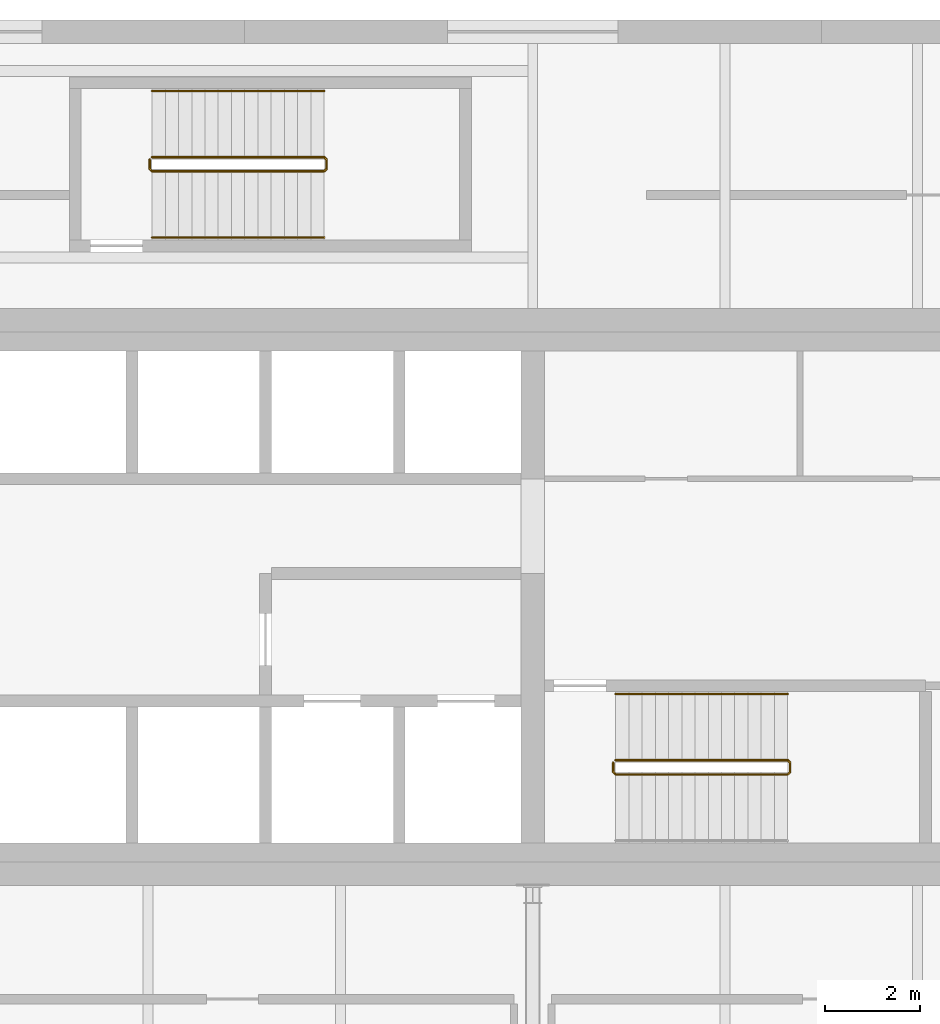
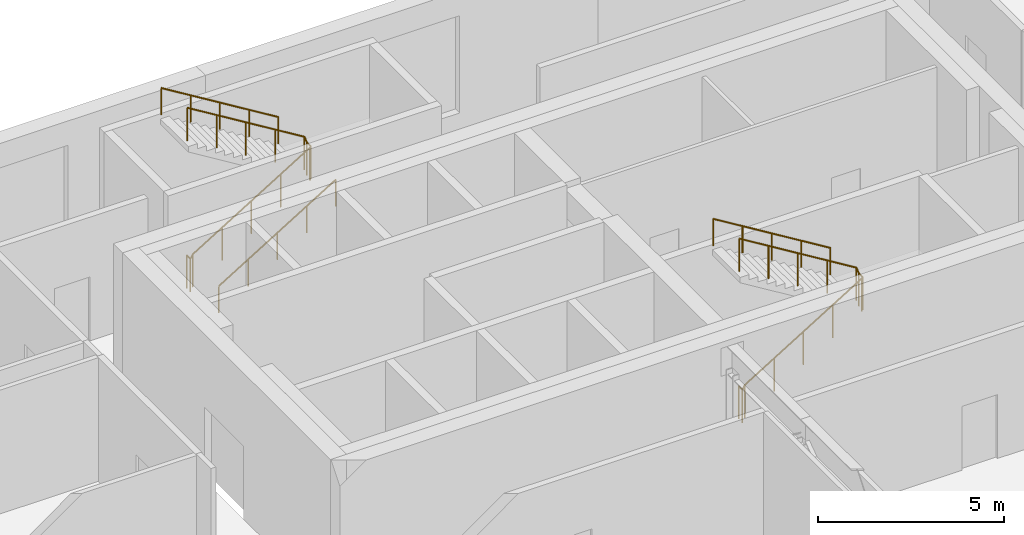
# One storey, part 21 of 21: 5 railings.
"""IFC4 building model written with IfcOpenShell, lengths in metres."""

import ifcopenshell
import ifcopenshell.guid

model = None  # the IFC model being written
_history = None  # IfcOwnerHistory: only IFC2X3 demands one
_inside = {}  # id of a spatial element -> (the spatial element, [elements in it])
_under = {}  # id of a project, library or spatial element -> (it, [spatial elements below it])
_declared = {}  # id of a project -> (the project, [libraries it declares])
_typed = {}  # id of a type object -> (the type object, [elements of that type])
_made_of = {}  # id of a material, layer set ... -> (it, [elements and type objects made of it])


def new_model(schema):
    """Start an empty IFC model of exactly this schema.

    Asked for "IFC4X3", IfcOpenShell would pick the latest addendum, in which some entities
    have other attributes; the version numbers below select the first issue.
    IFC2X3 requires an IfcOwnerHistory on every rooted entity: one is made here for all.
    """
    global model, _history
    if schema == "IFC4X3":
        model = ifcopenshell.file(schema_version=(4, 3, 0, 0))
    else:
        model = ifcopenshell.file(schema=schema)
    _inside.clear()
    _under.clear()
    _declared.clear()
    _typed.clear()
    _made_of.clear()
    _history = None
    if model.schema == "IFC2X3":
        org = make("IfcOrganization", Name="unknown")
        user = make(
            "IfcPersonAndOrganization",
            ThePerson=make("IfcPerson", FamilyName="unknown"),
            TheOrganization=org,
        )
        app = make(
            "IfcApplication",
            ApplicationDeveloper=org,
            Version="unknown",
            ApplicationFullName="unknown",
            ApplicationIdentifier="unknown",
        )
        _history = make(
            "IfcOwnerHistory",
            OwningUser=user,
            OwningApplication=app,
            ChangeAction="ADDED",
            CreationDate=0,
        )
    return model


def make(cls, **values):
    """One entity of the class cls with the attributes given. An attribute that is None is left unset."""
    return model.create_entity(
        cls, **{name: value for name, value in values.items() if value is not None}
    )


def rooted(cls, **values):
    """An entity with a GlobalId (a new one), such as an element, a storey or a relation."""
    return make(cls, GlobalId=ifcopenshell.guid.new(), OwnerHistory=_history, **values)


def si_unit(unit_type, name, prefix=None):
    """IfcSIUnit, for example si_unit("LENGTHUNIT", "METRE", prefix="MILLI")."""
    return make("IfcSIUnit", UnitType=unit_type, Prefix=prefix, Name=name)


def assignment(units):
    """IfcUnitAssignment: the units of a project."""
    return None if units is None else make("IfcUnitAssignment", Units=units)


def point(xyz):
    """IfcCartesianPoint."""
    return None if xyz is None else make("IfcCartesianPoint", Coordinates=xyz)


def direction(xyz):
    """IfcDirection."""
    return None if xyz is None else make("IfcDirection", DirectionRatios=xyz)


def frame(location, z_axis=None, x_axis=None):
    """IfcAxis2Placement3D, a coordinate frame: its origin and axes. An axis left out is left unset."""
    return make(
        "IfcAxis2Placement3D",
        Location=point(location),
        Axis=direction(z_axis),
        RefDirection=direction(x_axis),
    )


def frame_2d(location, x_axis=None):
    """IfcAxis2Placement2D, a coordinate frame in the plane: its origin and x axis."""
    return make(
        "IfcAxis2Placement2D", Location=point(location), RefDirection=direction(x_axis)
    )


def origin():
    """The frame at (0, 0, 0) with its axes left unset."""
    return frame((0.0, 0.0, 0.0))


def origin_2d():
    """The frame at (0, 0) in the plane with its x axis left unset."""
    return frame_2d((0.0, 0.0))


def place(relative_to, where):
    """IfcLocalPlacement: puts the frame where relative to a parent placement (None: the world)."""
    return make(
        "IfcLocalPlacement", PlacementRelTo=relative_to, RelativePlacement=where
    )


def context(
    kind, dimensions, precision=None, world=None, true_north=None, identifier=None
):
    """IfcGeometricRepresentationContext, for example the 3D "Model" context."""
    return make(
        "IfcGeometricRepresentationContext",
        ContextIdentifier=identifier,
        ContextType=kind,
        CoordinateSpaceDimension=dimensions,
        Precision=precision,
        WorldCoordinateSystem=world,
        TrueNorth=true_north,
    )


def subcontext(parent, identifier, kind, view, scale=None):
    """IfcGeometricRepresentationSubContext, for example "Body" below "Model"."""
    return make(
        "IfcGeometricRepresentationSubContext",
        ContextIdentifier=identifier,
        ContextType=kind,
        ParentContext=parent,
        TargetScale=scale,
        TargetView=view,
    )


def project(units=None, contexts=None):
    """IfcProject with its units and contexts."""
    return rooted(
        "IfcProject",
        Name="project",
        RepresentationContexts=contexts,
        UnitsInContext=assignment(units),
    )


def spatial(cls, under=None, at=None, **own):
    """A site, building, storey or space (cls), placed at a placement, below another one or the project."""
    s = rooted(cls, ObjectPlacement=at, **own)
    if under is not None:
        _under.setdefault(under.id(), (under, []))[1].append(s)
    return s


def profile(cls, at=None, kind="AREA", **sizes):
    """A parametric profile (cls). Its sizes go by their IFC names, for example OverallWidth=200.0."""
    return make(cls, ProfileType=kind, Position=at, **sizes)


def circle(**sizes):
    """IfcCircleProfileDef."""
    return profile("IfcCircleProfileDef", **sizes)


def extrude(swept, where, along, depth):
    """IfcExtrudedAreaSolid: the profile swept, set in the frame where, extruded along a direction by depth."""
    return make(
        "IfcExtrudedAreaSolid",
        SweptArea=swept,
        Position=where,
        ExtrudedDirection=direction(along),
        Depth=depth,
    )


def shape(context_of_items, identifier, shape_type, items):
    """IfcShapeRepresentation: the items that make up one representation, for example the "Body"."""
    return make(
        "IfcShapeRepresentation",
        ContextOfItems=context_of_items,
        RepresentationIdentifier=identifier,
        RepresentationType=shape_type,
        Items=items,
    )


def material(Name=None, Category=None):
    """IfcMaterial."""
    return make("IfcMaterial", Name=Name, Category=Category)


def made_of(thing, what):
    """Note that an element or type object is made of a material, layer set ...; save() writes the relation."""
    if what is not None:
        _made_of.setdefault(what.id(), (what, []))[1].append(thing)
    return thing


def type_object(cls, material=None, **own):
    """A type object (cls), such as IfcWallType, which elements share."""
    return made_of(rooted(cls, **own), material)


def element(
    cls,
    number,
    at=None,
    inside=None,
    cuts=None,
    type_object=None,
    material=None,
    context=None,
    identifier="Body",
    shape_type=None,
    held_by="IfcProductDefinitionShape",
    body=None,
    shapes=None,
    **own,
):
    """One element of the class cls, such as IfcWall. Its Tag is "e" and its number.

    at: its placement. inside: the storey or other place that contains it. cuts: it is an
    opening in that element (IfcRelVoidsElement). A single representation is given by context,
    identifier, shape_type and body (its items); several are given by shapes. held_by: the class
    of the entity that holds the representations. save() writes the other relations.
    """
    e = rooted(cls, Tag="e%d" % number, ObjectPlacement=at, **own)
    if body is not None:
        shapes = [shape(context, identifier, shape_type, body)]
    if shapes is not None:
        e.Representation = make(held_by, Representations=shapes)
    if inside is not None:
        _inside.setdefault(inside.id(), (inside, []))[1].append(e)
    if cuts is not None:
        rooted(
            "IfcRelVoidsElement", RelatingBuildingElement=cuts, RelatedOpeningElement=e
        )
    if type_object is not None:
        _typed.setdefault(type_object.id(), (type_object, []))[1].append(e)
    return made_of(e, material)


def aggregate(whole, parts):
    """IfcRelAggregates: a whole, such as a stair, and the parts it consists of."""
    return rooted("IfcRelAggregates", RelatingObject=whole, RelatedObjects=parts)


def save(model, path):
    """Write the relations noted so far, then the file.

    IfcRelAggregates (storeys below a building ...), IfcRelContainedInSpatialStructure (elements
    in a storey), IfcRelDefinesByType, IfcRelAssociatesMaterial and IfcRelDeclares: one each for
    every whole, place, type object, material and project.
    """
    for whole, parts in _under.values():
        aggregate(whole, parts)
    for where, things in _inside.values():
        rooted(
            "IfcRelContainedInSpatialStructure",
            RelatedElements=things,
            RelatingStructure=where,
        )
    for kind, things in _typed.values():
        rooted("IfcRelDefinesByType", RelatedObjects=things, RelatingType=kind)
    for what, things in _made_of.values():
        rooted("IfcRelAssociatesMaterial", RelatedObjects=things, RelatingMaterial=what)
    for by, libraries in _declared.values():
        rooted("IfcRelDeclares", RelatingContext=by, RelatedDefinitions=libraries)
    model.write(path)


model = new_model("IFC4")

# Units and contexts
model_context = context("Model", 3, precision=1e-05, world=origin(), true_north=direction((0.0, 1.0)))
body_context = subcontext(model_context, "Body", "Model", "MODEL_VIEW")
ifc_project = project(units=[si_unit("LENGTHUNIT", "METRE"), si_unit("AREAUNIT", "SQUARE_METRE"), si_unit("VOLUMEUNIT", "CUBIC_METRE"), si_unit("PLANEANGLEUNIT", "RADIAN"), si_unit("MASSUNIT", "GRAM", prefix="KILO")], contexts=[model_context])

# Site, building, storey
site_placement = place(None, origin())
site = spatial("IfcSite", under=ifc_project, at=site_placement, CompositionType="ELEMENT")
building_placement = place(site_placement, origin())
building = spatial("IfcBuilding", under=site, at=building_placement, Name="Tessera Gate Towers", CompositionType="ELEMENT")
storey_placement = place(building_placement, frame((0.0, 0.0, 63.800048828125)))
storey = spatial("IfcBuildingStorey", under=building, at=storey_placement, Name="L15", CompositionType="ELEMENT", Elevation=63.800048828125)

# Railings
ifc_material_1 = material(Name="Steel 350W", Category="steel")
railing_type_1 = type_object("IfcRailingType", Name="STAIR GUARD 1100", PredefinedType="GUARDRAIL", material=ifc_material_1)
railing_1_placement = place(storey_placement, frame((111.5, 39.199951171875, 0.0)))
element("IfcRailing", 1, at=railing_1_placement, inside=storey, type_object=railing_type_1, Name="L15 ST6 stair guard 1", PredefinedType="GUARDRAIL", context=body_context, shape_type="SweptSolid", body=[
    extrude(circle(Radius=0.02392578125, at=origin_2d()), frame((0.0, 0.0, 1.076171875), z_axis=(0.0, -1.0, 0.0), x_axis=(1.0, 0.0, 0.0)), (0.0, 0.0, 1.0), 0.199951171875),
    extrude(circle(Radius=0.02392578125, at=origin_2d()), frame((0.0, -0.199951171875, 1.076171875), z_axis=(0.269911200495, -0.269911200495, 0.924281281696), x_axis=(0.707106781187, 0.707106781187, 0.0)), (0.0, 0.0, 1.0), 0.185546875),
    extrude(circle(Radius=0.02392578125, at=origin_2d()), frame((0.050048828125, -0.25, 1.24755859375), z_axis=(0.852850264322, 0.0, 0.5221555579), x_axis=(0.0, 1.0, 0.0)), (0.0, 0.0, 1.0), 4.267822265625),
    extrude(circle(Radius=0.02392578125, at=origin_2d()), frame((3.68994140625, -0.25, 3.47607421875), z_axis=(0.707106781187, 0.707106781187, 0.0), x_axis=(-0.707106781187, 0.707106781187, 0.0)), (0.0, 0.0, 1.0), 0.07080078125),
    extrude(circle(Radius=0.02392578125, at=origin_2d()), frame((3.739990234375, -0.199951171875, 3.47607421875), z_axis=(0.0, 1.0, 0.0), x_axis=(-1.0, 0.0, 0.0)), (0.0, 0.0, 1.0), 0.199951171875),
    extrude(circle(Radius=0.02392578125, at=origin_2d()), frame((3.739990234375, 0.0, 3.47607421875), z_axis=(-0.269911200495, 0.269911200495, 0.924281281696), x_axis=(-0.707106781187, -0.707106781187, 0.0)), (0.0, 0.0, 1.0), 0.185546875),
    extrude(circle(Radius=0.02392578125, at=origin_2d()), frame((3.68994140625, 0.050048828125, 3.6474609375), z_axis=(-0.852824790078, 0.0, 0.522197163366), x_axis=(0.0, -1.0, 0.0)), (0.0, 0.0, 1.0), 4.26806640625),
    extrude(circle(Radius=0.02099609375, at=origin_2d()), origin(), (0.0, 0.0, 1.0), 1.052001953125),
    extrude(circle(Radius=0.02099609375, at=origin_2d()), frame((0.0, -0.199951171875, 0.0)), (0.0, 0.0, 1.0), 1.052001953125),
    extrude(circle(Radius=0.02099609375, at=origin_2d()), frame((0.050048828125, -0.25, 0.17138671875)), (0.0, 0.0, 1.0), 1.052001953125),
    extrude(circle(Radius=0.02099609375, at=origin_2d()), frame((0.9599609375, -0.25, 0.728515625)), (0.0, 0.0, 1.0), 1.052001953125),
    extrude(circle(Radius=0.02099609375, at=origin_2d()), frame((1.8701171875, -0.25, 1.28564453125)), (0.0, 0.0, 1.0), 1.052001953125),
    extrude(circle(Radius=0.02099609375, at=origin_2d()), frame((2.780029296875, -0.25, 1.8427734375)), (0.0, 0.0, 1.0), 1.052001953125),
    extrude(circle(Radius=0.02099609375, at=origin_2d()), frame((3.68994140625, -0.25, 2.39990234375)), (0.0, 0.0, 1.0), 1.052001953125),
    extrude(circle(Radius=0.02099609375, at=origin_2d()), frame((3.739990234375, -0.199951171875, 2.39990234375)), (0.0, 0.0, 1.0), 1.052001953125),
    extrude(circle(Radius=0.02099609375, at=origin_2d()), frame((3.739990234375, 0.0, 2.39990234375)), (0.0, 0.0, 1.0), 1.052001953125),
    extrude(circle(Radius=0.02099609375, at=origin_2d()), frame((3.68994140625, 0.050048828125, 2.5712890625)), (0.0, 0.0, 1.0), 1.052001953125),
    extrude(circle(Radius=0.02099609375, at=origin_2d()), frame((2.780029296875, 0.050048828125, 3.12841796875)), (0.0, 0.0, 1.0), 1.052001953125),
    extrude(circle(Radius=0.02099609375, at=origin_2d()), frame((1.8701171875, 0.050048828125, 3.685546875)), (0.0, 0.0, 1.0), 1.052001953125),
    extrude(circle(Radius=0.02099609375, at=origin_2d()), frame((0.9599609375, 0.050048828125, 4.242919921875)), (0.0, 0.0, 1.0), 1.052001953125),
    extrude(circle(Radius=0.02099609375, at=origin_2d()), frame((0.050048828125, 0.050048828125, 4.800048828125)), (0.0, 0.0, 1.0), 1.052001953125),
])
railing_2_placement = place(storey_placement, frame((101.699951171875, 51.949951171875, 0.0)))
element("IfcRailing", 2, at=railing_2_placement, inside=storey, type_object=railing_type_1, Name="L15 ST7 stair guard 1", PredefinedType="GUARDRAIL", context=body_context, shape_type="SweptSolid", body=[
    extrude(circle(Radius=0.02392578125, at=origin_2d()), frame((0.0, 0.0, 1.076171875), z_axis=(0.0, -1.0, 0.0), x_axis=(1.0, 0.0, 0.0)), (0.0, 0.0, 1.0), 0.199951171875),
    extrude(circle(Radius=0.02392578125, at=origin_2d()), frame((0.0, -0.199951171875, 1.076171875), z_axis=(0.269911200495, -0.269911200495, 0.924281281696), x_axis=(0.707106781187, 0.707106781187, 0.0)), (0.0, 0.0, 1.0), 0.185546875),
    extrude(circle(Radius=0.02392578125, at=origin_2d()), frame((0.050048828125, -0.25, 1.24755859375), z_axis=(0.852850264322, 0.0, 0.5221555579), x_axis=(0.0, 1.0, 0.0)), (0.0, 0.0, 1.0), 4.267822265625),
    extrude(circle(Radius=0.02392578125, at=origin_2d()), frame((3.68994140625, -0.25, 3.47607421875), z_axis=(0.707106781187, 0.707106781187, 0.0), x_axis=(-0.707106781187, 0.707106781187, 0.0)), (0.0, 0.0, 1.0), 0.07080078125),
    extrude(circle(Radius=0.02392578125, at=origin_2d()), frame((3.739990234375, -0.199951171875, 3.47607421875), z_axis=(0.0, 1.0, 0.0), x_axis=(-1.0, 0.0, 0.0)), (0.0, 0.0, 1.0), 0.199951171875),
    extrude(circle(Radius=0.02392578125, at=origin_2d()), frame((3.739990234375, 0.0, 3.47607421875), z_axis=(-0.269911200495, 0.269911200495, 0.924281281696), x_axis=(-0.707106781187, -0.707106781187, 0.0)), (0.0, 0.0, 1.0), 0.185546875),
    extrude(circle(Radius=0.02392578125, at=origin_2d()), frame((3.68994140625, 0.050048828125, 3.6474609375), z_axis=(-0.852824790078, 0.0, 0.522197163366), x_axis=(0.0, -1.0, 0.0)), (0.0, 0.0, 1.0), 4.26806640625),
    extrude(circle(Radius=0.02099609375, at=origin_2d()), origin(), (0.0, 0.0, 1.0), 1.052001953125),
    extrude(circle(Radius=0.02099609375, at=origin_2d()), frame((0.0, -0.199951171875, 0.0)), (0.0, 0.0, 1.0), 1.052001953125),
    extrude(circle(Radius=0.02099609375, at=origin_2d()), frame((0.050048828125, -0.25, 0.17138671875)), (0.0, 0.0, 1.0), 1.052001953125),
    extrude(circle(Radius=0.02099609375, at=origin_2d()), frame((0.9599609375, -0.25, 0.728515625)), (0.0, 0.0, 1.0), 1.052001953125),
    extrude(circle(Radius=0.02099609375, at=origin_2d()), frame((1.8701171875, -0.25, 1.28564453125)), (0.0, 0.0, 1.0), 1.052001953125),
    extrude(circle(Radius=0.02099609375, at=origin_2d()), frame((2.780029296875, -0.25, 1.8427734375)), (0.0, 0.0, 1.0), 1.052001953125),
    extrude(circle(Radius=0.02099609375, at=origin_2d()), frame((3.68994140625, -0.25, 2.39990234375)), (0.0, 0.0, 1.0), 1.052001953125),
    extrude(circle(Radius=0.02099609375, at=origin_2d()), frame((3.739990234375, -0.199951171875, 2.39990234375)), (0.0, 0.0, 1.0), 1.052001953125),
    extrude(circle(Radius=0.02099609375, at=origin_2d()), frame((3.739990234375, 0.0, 2.39990234375)), (0.0, 0.0, 1.0), 1.052001953125),
    extrude(circle(Radius=0.02099609375, at=origin_2d()), frame((3.68994140625, 0.050048828125, 2.5712890625)), (0.0, 0.0, 1.0), 1.052001953125),
    extrude(circle(Radius=0.02099609375, at=origin_2d()), frame((2.780029296875, 0.050048828125, 3.12841796875)), (0.0, 0.0, 1.0), 1.052001953125),
    extrude(circle(Radius=0.02099609375, at=origin_2d()), frame((1.8701171875, 0.050048828125, 3.685546875)), (0.0, 0.0, 1.0), 1.052001953125),
    extrude(circle(Radius=0.02099609375, at=origin_2d()), frame((0.9599609375, 0.050048828125, 4.242919921875)), (0.0, 0.0, 1.0), 1.052001953125),
    extrude(circle(Radius=0.02099609375, at=origin_2d()), frame((0.050048828125, 0.050048828125, 4.800048828125)), (0.0, 0.0, 1.0), 1.052001953125),
])
ifc_material_2 = material(Name="Steel 350W", Category="steel")
railing_type_2 = type_object("IfcRailingType", Name="STAIR HANDRAIL 900", PredefinedType="HANDRAIL", material=ifc_material_2)
railing_3_placement = place(storey_placement, frame((115.18994140625, 40.64990234375, 2.5712890625)))
element("IfcRailing", 3, at=railing_3_placement, inside=storey, type_object=railing_type_2, Name="L15 ST6 stair handrail 2", PredefinedType="HANDRAIL", context=body_context, shape_type="SweptSolid", body=[
    extrude(circle(Radius=0.02392578125, at=origin_2d()), frame((0.0, 0.0, 0.8759765625), z_axis=(-0.852824790078, 0.0, 0.522197163366), x_axis=(0.0, -1.0, 0.0)), (0.0, 0.0, 1.0), 4.26806640625),
    extrude(circle(Radius=0.02099609375, at=origin_2d()), origin(), (0.0, 0.0, 1.0), 0.851806640625),
    extrude(circle(Radius=0.02099609375, at=origin_2d()), frame((-0.909912109375, 0.0, 0.55712890625)), (0.0, 0.0, 1.0), 0.851806640625),
    extrude(circle(Radius=0.02099609375, at=origin_2d()), frame((-1.81982421875, 0.0, 1.1142578125)), (0.0, 0.0, 1.0), 0.851806640625),
    extrude(circle(Radius=0.02099609375, at=origin_2d()), frame((-2.72998046875, 0.0, 1.671630859375)), (0.0, 0.0, 1.0), 0.851806640625),
    extrude(circle(Radius=0.02099609375, at=origin_2d()), frame((-3.639892578125, 0.0, 2.228759765625)), (0.0, 0.0, 1.0), 0.851806640625),
])
railing_4_placement = place(storey_placement, frame((101.75, 50.300048828125, 0.17138671875)))
element("IfcRailing", 4, at=railing_4_placement, inside=storey, type_object=railing_type_2, Name="L15 ST7 stair handrail 1", PredefinedType="HANDRAIL", context=body_context, shape_type="SweptSolid", body=[
    extrude(circle(Radius=0.02392578125, at=origin_2d()), frame((0.0, 0.0, 0.8759765625), z_axis=(0.852850264322, 0.0, 0.5221555579), x_axis=(0.0, 1.0, 0.0)), (0.0, 0.0, 1.0), 4.267822265625),
    extrude(circle(Radius=0.02099609375, at=origin_2d()), origin(), (0.0, 0.0, 1.0), 0.851806640625),
    extrude(circle(Radius=0.02099609375, at=origin_2d()), frame((0.909912109375, 0.0, 0.55712890625)), (0.0, 0.0, 1.0), 0.851806640625),
    extrude(circle(Radius=0.02099609375, at=origin_2d()), frame((1.81982421875, 0.0, 1.1142578125)), (0.0, 0.0, 1.0), 0.851806640625),
    extrude(circle(Radius=0.02099609375, at=origin_2d()), frame((2.72998046875, 0.0, 1.67138671875)), (0.0, 0.0, 1.0), 0.851806640625),
    extrude(circle(Radius=0.02099609375, at=origin_2d()), frame((3.639892578125, 0.0, 2.228515625)), (0.0, 0.0, 1.0), 0.851806640625),
])
railing_5_placement = place(storey_placement, frame((105.389892578125, 53.39990234375, 2.5712890625)))
element("IfcRailing", 5, at=railing_5_placement, inside=storey, type_object=railing_type_2, Name="L15 ST7 stair handrail 2", PredefinedType="HANDRAIL", context=body_context, shape_type="SweptSolid", body=[
    extrude(circle(Radius=0.02392578125, at=origin_2d()), frame((0.0, 0.0, 0.8759765625), z_axis=(-0.852824790078, 0.0, 0.522197163366), x_axis=(0.0, -1.0, 0.0)), (0.0, 0.0, 1.0), 4.26806640625),
    extrude(circle(Radius=0.02099609375, at=origin_2d()), origin(), (0.0, 0.0, 1.0), 0.851806640625),
    extrude(circle(Radius=0.02099609375, at=origin_2d()), frame((-0.909912109375, 0.0, 0.55712890625)), (0.0, 0.0, 1.0), 0.851806640625),
    extrude(circle(Radius=0.02099609375, at=origin_2d()), frame((-1.81982421875, 0.0, 1.1142578125)), (0.0, 0.0, 1.0), 0.851806640625),
    extrude(circle(Radius=0.02099609375, at=origin_2d()), frame((-2.72998046875, 0.0, 1.671630859375)), (0.0, 0.0, 1.0), 0.851806640625),
    extrude(circle(Radius=0.02099609375, at=origin_2d()), frame((-3.639892578125, 0.0, 2.228759765625)), (0.0, 0.0, 1.0), 0.851806640625),
])

save(model, "model.ifc")
